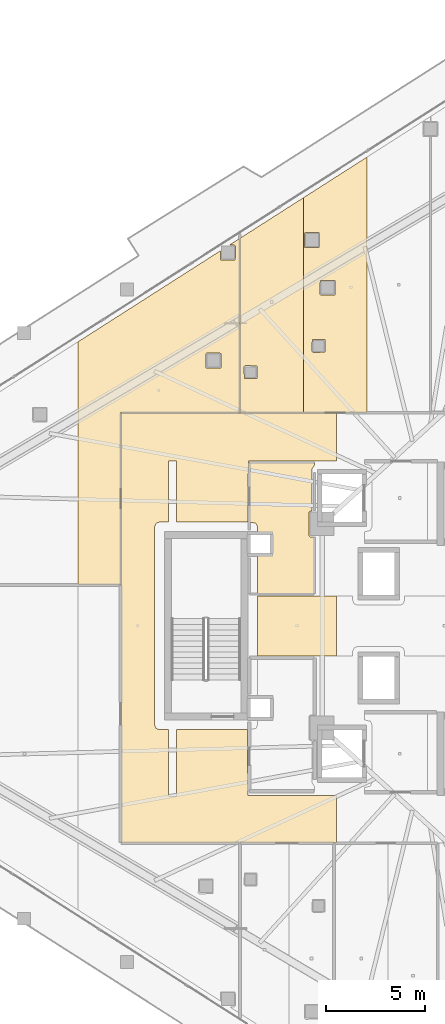
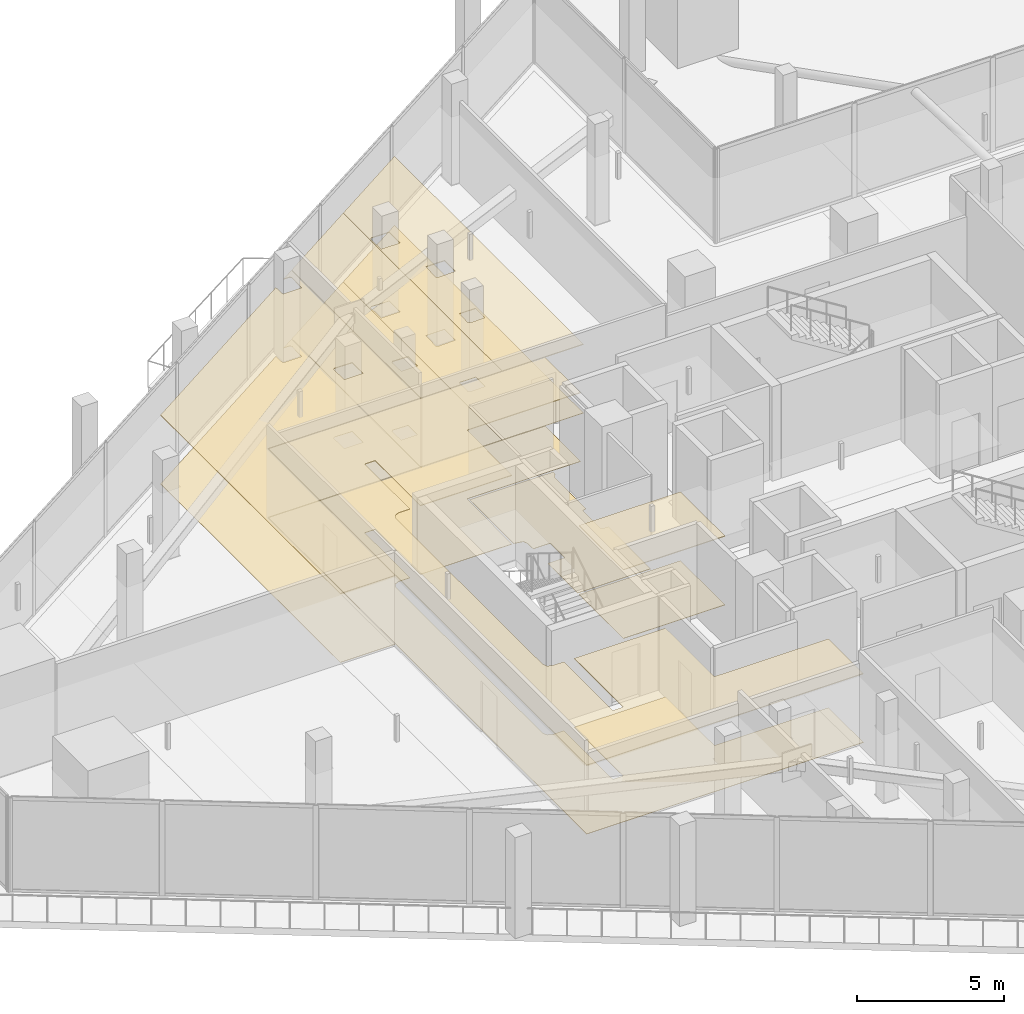
# One storey, part 44 of 47: 11 coverings.
"""IFC4 building model written with IfcOpenShell, lengths in metres."""

from ifc_helpers import new_model, si_unit, direction, frame, origin, place, context, subcontext, project, spatial, polyline, outline, extrude, material, layer, layer_set, type_object, element, save


model = new_model("IFC4")

# Units and contexts
model_context = context("Model", 3, precision=1e-05, world=origin(), true_north=direction((0.0, 1.0)))
body_context = subcontext(model_context, "Body", "Model", "MODEL_VIEW")
ifc_project = project(units=[si_unit("LENGTHUNIT", "METRE"), si_unit("AREAUNIT", "SQUARE_METRE"), si_unit("VOLUMEUNIT", "CUBIC_METRE"), si_unit("PLANEANGLEUNIT", "RADIAN"), si_unit("MASSUNIT", "GRAM", prefix="KILO")], contexts=[model_context])

# Site, building, storey
site_placement = place(None, origin())
site = spatial("IfcSite", under=ifc_project, at=site_placement, CompositionType="ELEMENT")
building_placement = place(site_placement, origin())
building = spatial("IfcBuilding", under=site, at=building_placement, Name="Qorvath Tower", CompositionType="ELEMENT")
storey_placement = place(building_placement, frame((0.0, 0.0, 74.39990234375)))
storey = spatial("IfcBuildingStorey", under=building, at=storey_placement, Name="L16", CompositionType="ELEMENT", Elevation=74.39990234375)

# Coverings
ifc_material_1 = material(Name="Acoustic mineral fibre ceiling tile", Category="gypsum")
ifc_layer_1 = layer(ifc_material_1, 0.030029296875)
ifc_layer_set_1 = layer_set([ifc_layer_1], Name="COV-CEIL")
covering_type_1 = type_object("IfcCoveringType", Name="COV-CEIL", PredefinedType="CEILING", material=ifc_layer_set_1)
covering_1_placement = place(storey_placement, frame((0.0, 0.0, 2.85009765625)))
element("IfcCovering", 1, at=covering_1_placement, inside=storey, type_object=covering_type_1, Name="L16 Suspended Acoustic Ceiling 005", PredefinedType="CEILING", context=body_context, shape_type="SweptSolid", body=[
    extrude(outline(polyline([(-29.764892578125, -10.945068359375), (-29.764892578125, -8.564453125), (-34.25, -8.56494140625), (-34.2548828125, -5.239990234375), (-37.844970703125, -5.239990234375), (-37.844970703125, -8.580078125), (-38.2548828125, -8.580078125), (-38.2548828125, -5.239990234375), (-38.699951171875, -5.239990234375), (-38.876708984375, -5.166748046875), (-38.949951171875, -4.989990234375), (-38.949951171875, 4.989990234375), (-38.876708984375, 5.166748046875), (-38.699951171875, 5.239990234375), (-38.2548828125, 5.239990234375), (-38.25341796875, 8.323486328125), (-37.844970703125, 8.320068359375), (-37.844970703125, 5.239990234375), (-34.2509765625, 5.239990234375), (-34.219970703125, 8.324951171875), (-29.764892578125, 8.324951171875), (-29.764892578125, 10.7451171875), (-40.64501953125, 10.7451171875), (-40.64501953125, -10.945068359375), (-29.764892578125, -10.945068359375)])), origin(), (0.0, 0.0, 1.0), 0.030029296875),
])
covering_2_placement = place(storey_placement, frame((0.0, 0.0, 2.85009765625)))
element("IfcCovering", 2, at=covering_2_placement, inside=storey, type_object=covering_type_1, Name="L16 Suspended Acoustic Ceiling 006", PredefinedType="CEILING", context=body_context, shape_type="SweptSolid", body=[
    extrude(outline(polyline([(-29.764892578125, -1.514892578125), (-29.764892578125, 1.514892578125), (-33.760009765625, 1.514892578125), (-33.760009765625, -1.514892578125), (-29.764892578125, -1.514892578125)])), origin(), (0.0, 0.0, 1.0), 0.030029296875),
])
covering_3_placement = place(storey_placement, frame((0.0, 0.0, 2.85009765625)))
element("IfcCovering", 3, at=covering_3_placement, inside=storey, type_object=covering_type_1, Name="L16 Suspended Acoustic Ceiling 008", PredefinedType="CEILING", context=body_context, shape_type="SweptSolid", body=[
    extrude(outline(polyline([(-31.44287109375, 10.762939453125), (-31.44287109375, 21.59326171875), (-34.64501953125, 19.546875), (-34.64501953125, 10.762939453125), (-31.44287109375, 10.762939453125)]), holes=[polyline([(-34.439208984375, 13.0673828125), (-34.379150390625, 13.12744140625), (-33.786865234375, 13.10986328125), (-33.786865234375, 12.47509765625), (-34.421630859375, 12.47509765625), (-34.439208984375, 13.0673828125)])]), origin(), (0.0, 0.0, 1.0), 0.030029296875),
])
covering_4_placement = place(storey_placement, frame((0.0, 0.0, 2.85009765625)))
element("IfcCovering", 4, at=covering_4_placement, inside=storey, type_object=covering_type_1, Name="L16 Suspended Acoustic Ceiling 009", PredefinedType="CEILING", context=body_context, shape_type="SweptSolid", body=[
    extrude(outline(polyline([(-28.240966796875, 10.762939453125), (-28.240966796875, 23.639892578125), (-31.44287109375, 21.59326171875), (-31.44287109375, 10.762939453125), (-28.240966796875, 10.762939453125)]), holes=[polyline([(-30.60986328125, 16.734619140625), (-30.59228515625, 17.427001953125), (-29.857421875, 17.427001953125), (-29.857421875, 16.692138671875), (-30.5498046875, 16.674560546875), (-30.60986328125, 16.734619140625)]), polyline([(-31.01220703125, 13.849365234375), (-30.99462890625, 14.441650390625), (-30.35986328125, 14.441650390625), (-30.35986328125, 13.806884765625), (-30.9521484375, 13.789306640625), (-31.01220703125, 13.849365234375)]), polyline([(-31.401123046875, 19.785400390625), (-31.341064453125, 19.845458984375), (-30.648681640625, 19.827880859375), (-30.648681640625, 19.093017578125), (-31.383544921875, 19.093017578125), (-31.401123046875, 19.785400390625)])]), origin(), (0.0, 0.0, 1.0), 0.030029296875),
])
covering_5_placement = place(storey_placement, frame((0.0, 0.0, 2.85009765625)))
element("IfcCovering", 5, at=covering_5_placement, inside=storey, type_object=covering_type_1, Name="L16 Suspended Acoustic Ceiling 040", PredefinedType="CEILING", context=body_context, shape_type="SweptSolid", body=[
    extrude(outline(polyline([(-34.6630859375, 10.762939453125), (-34.6630859375, 19.535400390625), (-35.165283203125, 19.21435546875), (-34.9267578125, 19.21435546875), (-34.86669921875, 19.154296875), (-34.88427734375, 18.4619140625), (-35.619140625, 18.4619140625), (-35.63671875, 18.9130859375), (-42.822265625, 14.320556640625), (-42.822265625, 2.074951171875), (-40.6630859375, 2.074951171875), (-40.66162109375, 10.761474609375), (-34.6630859375, 10.762939453125)]), holes=[polyline([(-36.36572265625, 13.705810546875), (-36.3056640625, 13.765869140625), (-35.61328125, 13.748291015625), (-35.61328125, 13.013427734375), (-36.34814453125, 13.013427734375), (-36.36572265625, 13.705810546875)])]), origin(), (0.0, 0.0, 1.0), 0.030029296875),
])
ifc_material_2 = material(Name="Low-VOC modular carpet tile", Category="textile")
ifc_layer_2 = layer(ifc_material_2, 0.014892578125)
ifc_layer_set_2 = layer_set([ifc_layer_2], Name="COV-FLOOR-CPT")
covering_type_2 = type_object("IfcCoveringType", Name="COV-FLOOR-CPT", PredefinedType="FLOORING", material=ifc_layer_set_2)
covering_6_placement = place(storey_placement, origin())
element("IfcCovering", 6, at=covering_6_placement, inside=storey, type_object=covering_type_2, Name="L16 Floor Finish 008", PredefinedType="FLOORING", context=body_context, shape_type="SweptSolid", body=[
    extrude(outline(polyline([(-31.44287109375, 10.762939453125), (-31.44287109375, 21.59326171875), (-34.64501953125, 19.546875), (-34.64501953125, 10.762939453125), (-31.44287109375, 10.762939453125)]), holes=[polyline([(-34.439208984375, 13.0673828125), (-34.379150390625, 13.12744140625), (-33.786865234375, 13.10986328125), (-33.786865234375, 12.47509765625), (-34.421630859375, 12.47509765625), (-34.439208984375, 13.0673828125)])]), origin(), (0.0, 0.0, 1.0), 0.01513671875),
])
covering_7_placement = place(storey_placement, origin())
element("IfcCovering", 7, at=covering_7_placement, inside=storey, type_object=covering_type_2, Name="L16 Floor Finish 009", PredefinedType="FLOORING", context=body_context, shape_type="SweptSolid", body=[
    extrude(outline(polyline([(-28.240966796875, 10.762939453125), (-28.240966796875, 23.639892578125), (-31.44287109375, 21.59326171875), (-31.44287109375, 10.762939453125), (-28.240966796875, 10.762939453125)]), holes=[polyline([(-30.60986328125, 16.734619140625), (-30.59228515625, 17.427001953125), (-29.857421875, 17.427001953125), (-29.857421875, 16.692138671875), (-30.5498046875, 16.674560546875), (-30.60986328125, 16.734619140625)]), polyline([(-31.01220703125, 13.849365234375), (-30.99462890625, 14.441650390625), (-30.35986328125, 14.441650390625), (-30.35986328125, 13.806884765625), (-30.9521484375, 13.789306640625), (-31.01220703125, 13.849365234375)]), polyline([(-31.401123046875, 19.785400390625), (-31.341064453125, 19.845458984375), (-30.648681640625, 19.827880859375), (-30.648681640625, 19.093017578125), (-31.383544921875, 19.093017578125), (-31.401123046875, 19.785400390625)])]), origin(), (0.0, 0.0, 1.0), 0.01513671875),
])
covering_8_placement = place(storey_placement, origin())
element("IfcCovering", 8, at=covering_8_placement, inside=storey, type_object=covering_type_2, Name="L16 Floor Finish 040", PredefinedType="FLOORING", context=body_context, shape_type="SweptSolid", body=[
    extrude(outline(polyline([(-34.6630859375, 10.762939453125), (-34.6630859375, 19.535400390625), (-35.165283203125, 19.21435546875), (-34.9267578125, 19.21435546875), (-34.86669921875, 19.154296875), (-34.88427734375, 18.4619140625), (-35.619140625, 18.4619140625), (-35.63671875, 18.9130859375), (-42.822265625, 14.320556640625), (-42.822265625, 2.074951171875), (-40.6630859375, 2.074951171875), (-40.66162109375, 10.761474609375), (-34.6630859375, 10.762939453125)]), holes=[polyline([(-36.36572265625, 13.705810546875), (-36.3056640625, 13.765869140625), (-35.61328125, 13.748291015625), (-35.61328125, 13.013427734375), (-36.34814453125, 13.013427734375), (-36.36572265625, 13.705810546875)])]), origin(), (0.0, 0.0, 1.0), 0.01513671875),
])
ifc_material_3 = material(Name="Polished epoxy terrazzo flooring", Category="concrete")
ifc_layer_3 = layer(ifc_material_3, 0.02001953125)
ifc_layer_set_3 = layer_set([ifc_layer_3], Name="COV-FLOOR-TRZ")
covering_type_3 = type_object("IfcCoveringType", Name="COV-FLOOR-TRZ", PredefinedType="FLOORING", material=ifc_layer_set_3)
covering_9_placement = place(storey_placement, origin())
element("IfcCovering", 9, at=covering_9_placement, inside=storey, type_object=covering_type_3, Name="L16 Floor Finish 003", PredefinedType="FLOORING", context=body_context, shape_type="SweptSolid", body=[
    extrude(outline(polyline([(-30.885009765625, 8.2451171875), (-34.175048828125, 8.2451171875), (-34.175048828125, 5.239990234375), (-33.833251953125, 5.166748046875), (-33.760009765625, 4.989990234375), (-33.760009765625, 4.633056640625), (-33.0869140625, 4.6279296875), (-33.08837890625, 3.638427734375), (-33.760009765625, 3.636962890625), (-33.760009765625, 1.60498046875), (-30.885009765625, 1.60498046875), (-30.885009765625, 4.489990234375), (-31.10009765625, 4.489990234375), (-31.159912109375, 4.550048828125), (-31.159912109375, 5.75), (-31.010009765625, 5.81005859375), (-31.010009765625, 7.909912109375), (-30.885009765625, 8.108154296875), (-30.885009765625, 8.2451171875)])), origin(), (0.0, 0.0, 1.0), 0.01513671875),
])
covering_10_placement = place(storey_placement, origin())
element("IfcCovering", 10, at=covering_10_placement, inside=storey, type_object=covering_type_3, Name="L16 Floor Finish 005", PredefinedType="FLOORING", context=body_context, shape_type="SweptSolid", body=[
    extrude(outline(polyline([(-29.764892578125, -10.945068359375), (-29.764892578125, -8.564453125), (-34.25, -8.56494140625), (-34.2548828125, -5.239990234375), (-37.844970703125, -5.239990234375), (-37.844970703125, -8.580078125), (-38.2548828125, -8.580078125), (-38.2548828125, -5.239990234375), (-38.699951171875, -5.239990234375), (-38.876708984375, -5.166748046875), (-38.949951171875, -4.989990234375), (-38.949951171875, 4.989990234375), (-38.876708984375, 5.166748046875), (-38.699951171875, 5.239990234375), (-38.2548828125, 5.239990234375), (-38.25341796875, 8.323486328125), (-37.844970703125, 8.320068359375), (-37.844970703125, 5.239990234375), (-34.2509765625, 5.239990234375), (-34.219970703125, 8.324951171875), (-29.764892578125, 8.324951171875), (-29.764892578125, 10.7451171875), (-40.64501953125, 10.7451171875), (-40.64501953125, -10.945068359375), (-29.764892578125, -10.945068359375)])), origin(), (0.0, 0.0, 1.0), 0.01513671875),
])
covering_11_placement = place(storey_placement, origin())
element("IfcCovering", 11, at=covering_11_placement, inside=storey, type_object=covering_type_3, Name="L16 Floor Finish 006", PredefinedType="FLOORING", context=body_context, shape_type="SweptSolid", body=[
    extrude(outline(polyline([(-29.764892578125, -1.514892578125), (-29.764892578125, 1.514892578125), (-33.760009765625, 1.514892578125), (-33.760009765625, -1.514892578125), (-29.764892578125, -1.514892578125)])), origin(), (0.0, 0.0, 1.0), 0.01513671875),
])

save(model, "model.ifc")
